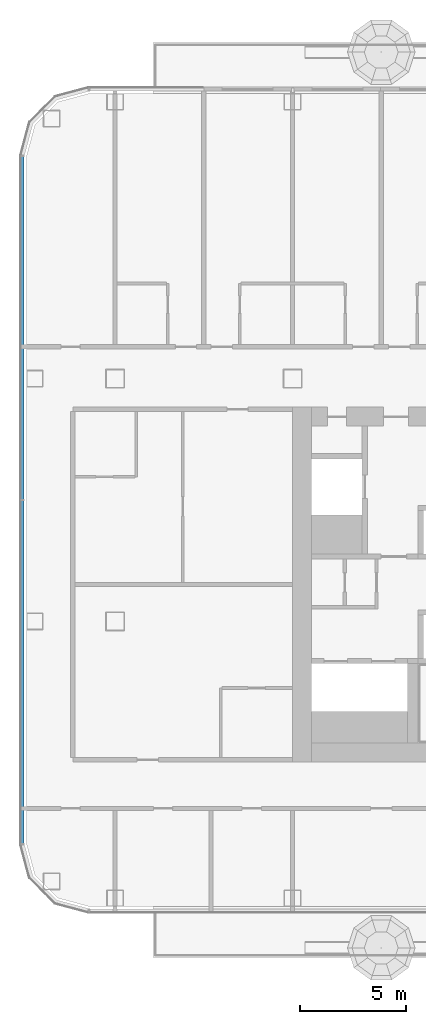
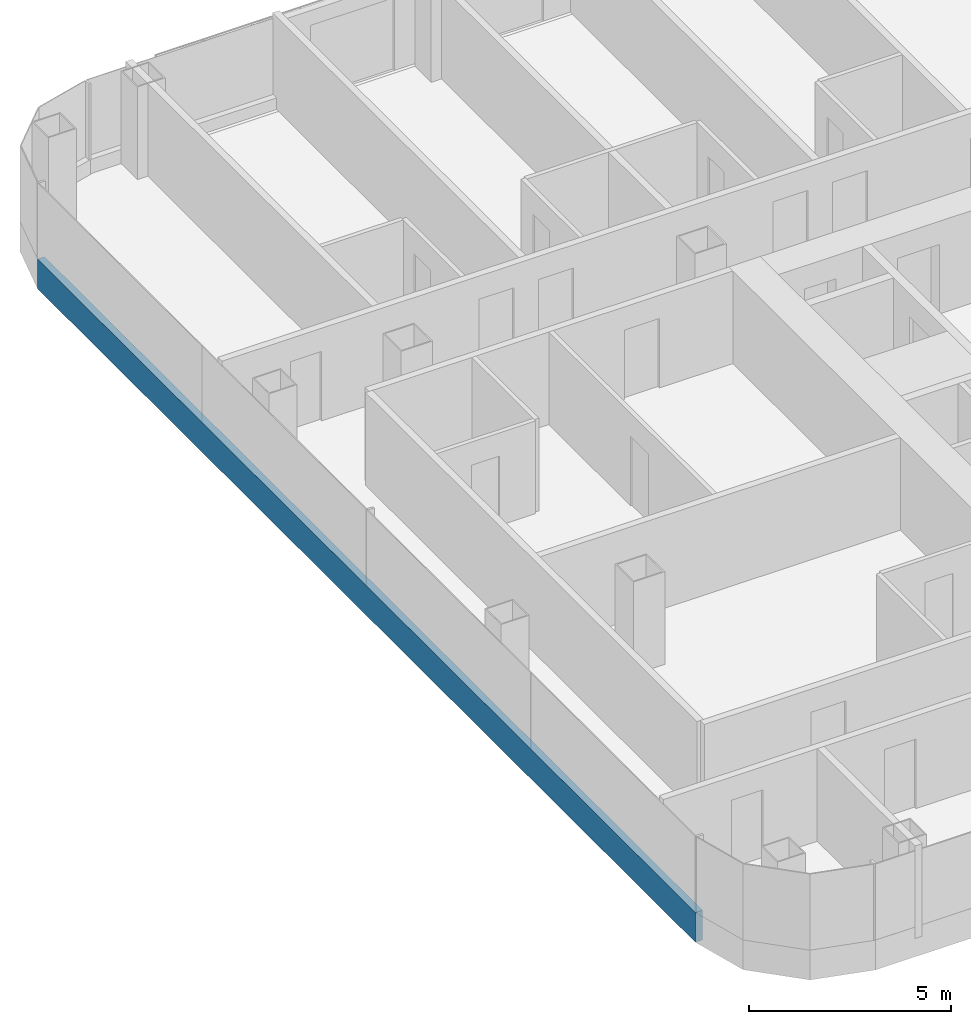
# One storey, part 3 of 34: 1 member, 1 element without a shape of its own.
"""IFC4 building model written with IfcOpenShell, lengths in metres."""

from ifc_helpers import new_model, si_unit, direction, frame, origin, origin_2d, place, context, subcontext, project, spatial, rectangle, extrude, material, layer, layer_set, material_profile, profile_set, type_object, element, aggregate, save


model = new_model("IFC4")

# Units and contexts
model_context = context("Model", 3, precision=1e-05, world=origin(), true_north=direction((0.0, 1.0)))
body_context = subcontext(model_context, "Body", "Model", "MODEL_VIEW")
ifc_project = project(units=[si_unit("LENGTHUNIT", "METRE"), si_unit("AREAUNIT", "SQUARE_METRE"), si_unit("VOLUMEUNIT", "CUBIC_METRE"), si_unit("PLANEANGLEUNIT", "RADIAN"), si_unit("MASSUNIT", "GRAM", prefix="KILO")], contexts=[model_context])

# Site, building, storey
site_placement = place(None, origin())
site = spatial("IfcSite", under=ifc_project, at=site_placement, CompositionType="ELEMENT")
building_placement = place(site_placement, origin())
building = spatial("IfcBuilding", under=site, at=building_placement, Name="Hakoniwa Tower and Hamabe Station Hall", CompositionType="ELEMENT")
storey_placement = place(building_placement, frame((0.0, 0.0, 94.60009765625)))
storey = spatial("IfcBuildingStorey", under=building, at=storey_placement, Name="L26", CompositionType="ELEMENT", Elevation=94.60009765625)

# Curtain wall, member
ifc_material_1 = material(Name="Dark low-e laminated glass", Category="glass")
ifc_layer = layer(ifc_material_1, 0.199951171875)
ifc_layer_set = layer_set([ifc_layer], Name="CW-1 UNITISED GUEST")
curtain_wall_type = type_object("IfcCurtainWallType", Name="CW-1 UNITISED GUEST", PredefinedType="NOTDEFINED", material=ifc_layer_set)
curtain_wall_placement = place(storey_placement, origin())
curtain_wall = element("IfcCurtainWall", 1, at=curtain_wall_placement, inside=storey, type_object=curtain_wall_type, Name="CW-1 curtain wall", PredefinedType="NOTDEFINED")
ifc_material_2 = material(Name="Aluminium 6063-T5 black anodised", Category="aluminium")
ifc_material_profile = material_profile(ifc_material_2, rectangle(XDim=0.199951171875, YDim=0.89990234375, at=origin_2d()), Name="CW SLAB-EDGE BAND 900X200")
ifc_profile_set = profile_set([ifc_material_profile], Name="Aluminium 6063-T5 black anodised")
member_type = type_object("IfcMemberType", Name="CW SLAB-EDGE BAND 900X200", PredefinedType="USERDEFINED", material=ifc_profile_set)
member_placement = place(storey_placement, frame((-46.39990234375, 20.28955078125, -0.10009765625), z_axis=(0.0, -1.0, 0.0), x_axis=(1.0, 0.0, 0.0)))
member = element("IfcMember", 2, at=member_placement, type_object=member_type, Name="CW-1 transom", ObjectType="TRANSOM", PredefinedType="USERDEFINED", context=body_context, shape_type="SweptSolid", body=[
    extrude(rectangle(XDim=0.199951171875, YDim=0.89990234375, at=origin_2d()), origin(), (0.0, 0.0, 1.0), 32.5791015625),
])
aggregate(curtain_wall, [member])

save(model, "model.ifc")
